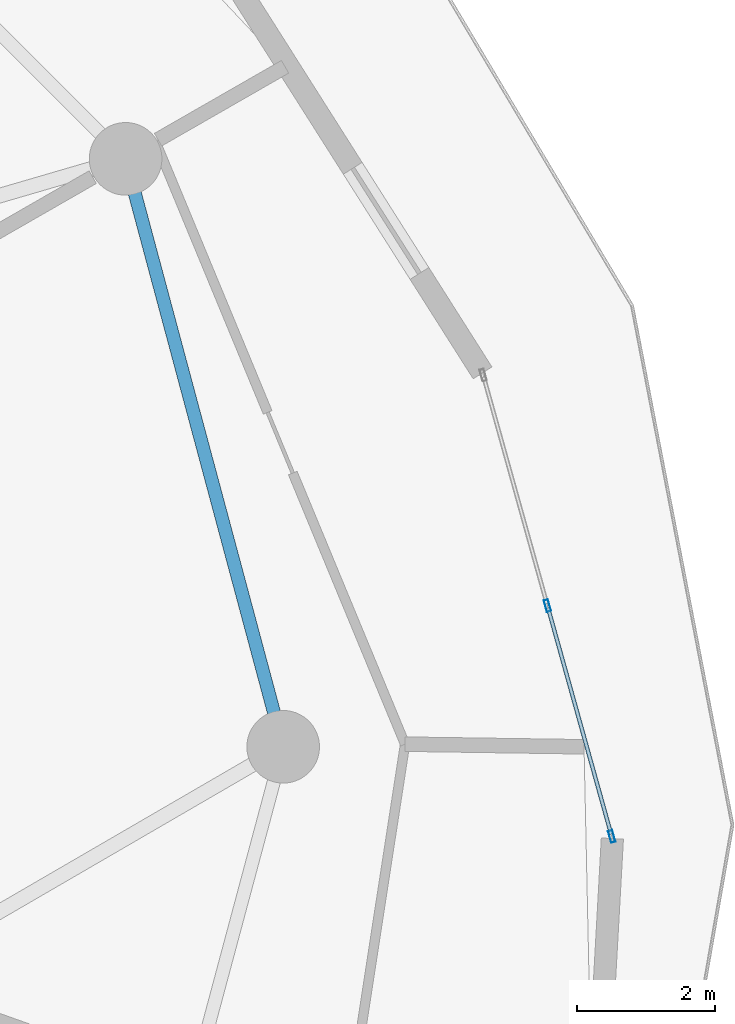
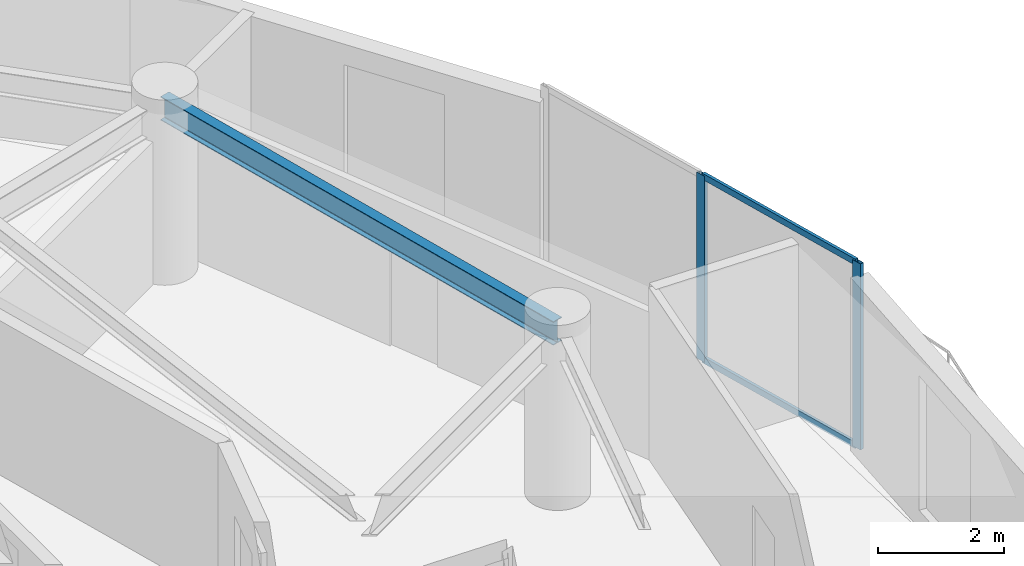
# One storey, part 13 of 25: 4 members, 1 beam, 1 element without a shape of its own.
"""IFC4 building model written with IfcOpenShell, lengths in metres."""

from ifc_helpers import new_model, si_unit, direction, frame, origin, origin_2d, place, context, subcontext, project, spatial, hollow_rectangle, i_section, extrude, source, transform, mapped, material, layer, layer_set, material_profile, profile_set, type_object, element, aggregate, save


model = new_model("IFC4")

# Units and contexts
model_context = context("Model", 3, precision=1e-05, world=origin(), true_north=direction((0.0, 1.0)))
body_context = subcontext(model_context, "Body", "Model", "MODEL_VIEW")
ifc_project = project(units=[si_unit("LENGTHUNIT", "METRE"), si_unit("AREAUNIT", "SQUARE_METRE"), si_unit("VOLUMEUNIT", "CUBIC_METRE"), si_unit("PLANEANGLEUNIT", "RADIAN"), si_unit("MASSUNIT", "GRAM", prefix="KILO")], contexts=[model_context])

# Site, building, storey
site_placement = place(None, origin())
site = spatial("IfcSite", under=ifc_project, at=site_placement, CompositionType="ELEMENT")
building_placement = place(site_placement, origin())
building = spatial("IfcBuilding", under=site, at=building_placement, Name="Solvirekh Grand Hotel", CompositionType="ELEMENT")
storey_placement = place(building_placement, frame((0.0, 0.0, 117.0)))
storey = spatial("IfcBuildingStorey", under=building, at=storey_placement, Name="L29", CompositionType="ELEMENT", Elevation=117.0)

# Beam
ifc_material_1 = material(Name="Steel S355", Category="steel")
ifc_material_profile_1 = material_profile(ifc_material_1, i_section(OverallWidth=0.18994140625, OverallDepth=0.45703125, WebThickness=0.009033203125, FlangeThickness=0.013916015625, FilletRadius=0.012939453125, at=origin_2d()), Name="W460X74")
ifc_profile_set_1 = profile_set([ifc_material_profile_1], Name="Steel S355")
beam_type = type_object("IfcBeamType", Name="Spandrel_Ring_W460", PredefinedType="SPANDREL", material=ifc_profile_set_1)
beam_placement = place(storey_placement, frame((17.0, 0.0, 3.12109375), z_axis=(-0.258872908946, 0.965911391906, 0.0), x_axis=(-0.965911391906, -0.258872908946, 0.0)))
element("IfcBeam", 1, at=beam_placement, inside=storey, type_object=beam_type, Name="L29 perimeter spandrel beam 1", PredefinedType="SPANDREL", context=body_context, shape_type="SweptSolid", body=[
    extrude(i_section(OverallWidth=0.18994140625, OverallDepth=0.45703125, WebThickness=0.009033203125, FlangeThickness=0.013916015625, FilletRadius=0.012939453125, at=origin_2d()), origin(), (0.0, 0.0, 1.0), 8.800048828125),
])

# Curtain wall, members
ifc_material_2 = material(Name="Anodized Bronze Aluminium 6063-T6", Category="aluminium")
ifc_layer = layer(ifc_material_2, 0.175048828125)
ifc_layer_set = layer_set([ifc_layer], Name="Anodized Bronze Aluminium 6063-T6")
curtain_wall_type = type_object("IfcCurtainWallType", Name="CW_Sys3_MidZoneFlushBronzeCW", PredefinedType="NOTDEFINED", material=ifc_layer_set)
curtain_wall_placement = place(storey_placement, origin())
curtain_wall = element("IfcCurtainWall", 2, at=curtain_wall_placement, inside=storey, type_object=curtain_wall_type, Name="L29 unitised bronze-glass curtain wall CW-L29-C03", PredefinedType="NOTDEFINED")
ifc_material_profile_2 = material_profile(ifc_material_2, hollow_rectangle(XDim=0.06494140625, YDim=0.175048828125, WallThickness=0.0048828125, at=origin_2d()), Name="ALU RHS 175X65X5")
ifc_profile_set_2 = profile_set([ifc_material_profile_2], Name="Anodized Bronze Aluminium 6063-T6")
member_type_1 = type_object("IfcMemberType", Name="CWMullion_Sys3", PredefinedType="MULLION", material=ifc_profile_set_2)
shared_shape_1 = source(origin(), body_context, "Body", "SweptSolid", [
    extrude(hollow_rectangle(XDim=0.06494140625, YDim=0.175048828125, WallThickness=0.0048828125, at=origin_2d()), origin(), (0.0, 0.0, 1.0), 3.60009765625),
])
member_1_placement = place(storey_placement, frame((21.750244140625, -1.295654296875, 0.0), z_axis=(0.0, 0.0, 1.0), x_axis=(-0.96326948599, -0.26853658477, 0.0)))
member_1 = element("IfcMember", 3, at=member_1_placement, type_object=member_type_1, Name="U03 mullion 1", PredefinedType="MULLION", context=body_context, shape_type="MappedRepresentation", body=[
    mapped(shared_shape_1, transform((0.0, 0.0, 0.0), x_axis=(1.0, 0.0, 0.0), y_axis=(0.0, 1.0, 0.0), z_axis=(0.0, 0.0, 1.0), scale=1.0)),
])
member_2_placement = place(storey_placement, frame((20.820556640625, 2.03955078125, 0.0), z_axis=(0.0, 0.0, 1.0), x_axis=(-0.96326948599, -0.26853658477, 0.0)))
member_2 = element("IfcMember", 4, at=member_2_placement, type_object=member_type_1, Name="U03 mullion 2", PredefinedType="MULLION", context=body_context, shape_type="MappedRepresentation", body=[
    mapped(shared_shape_1, transform((0.0, 0.0, 0.0), x_axis=(1.0, 0.0, 0.0), y_axis=(0.0, 1.0, 0.0), z_axis=(0.0, 0.0, 1.0), scale=1.0)),
])
ifc_material_profile_3 = material_profile(ifc_material_2, hollow_rectangle(XDim=0.054931640625, YDim=0.1201171875, WallThickness=0.00390625, at=origin_2d()), Name="ALU RHS 120X55X4")
ifc_profile_set_3 = profile_set([ifc_material_profile_3], Name="Anodized Bronze Aluminium 6063-T6")
member_type_2 = type_object("IfcMemberType", Name="CWTransom_Sys3", PredefinedType="USERDEFINED", material=ifc_profile_set_3)
shared_shape_2 = source(origin(), body_context, "Body", "SweptSolid", [
    extrude(hollow_rectangle(XDim=0.054931640625, YDim=0.1201171875, WallThickness=0.00390625, at=origin_2d()), origin(), (0.0, 0.0, 1.0), 3.3974609375),
])
member_3_placement = place(storey_placement, frame((21.741455078125, -1.264404296875, 0.027587890625), z_axis=(-0.26847026228, 0.96328797266, 0.0), x_axis=(-0.96328797266, -0.26847026228, 0.0)))
member_3 = element("IfcMember", 5, at=member_3_placement, type_object=member_type_2, Name="U03 transom 1.1", ObjectType="TRANSOM", PredefinedType="USERDEFINED", context=body_context, shape_type="MappedRepresentation", body=[
    mapped(shared_shape_2, transform((0.0, 0.0, 0.0), x_axis=(1.0, 0.0, 0.0), y_axis=(0.0, 1.0, 0.0), z_axis=(0.0, 0.0, 1.0), scale=1.0)),
])
member_4_placement = place(storey_placement, frame((21.741455078125, -1.264404296875, 3.572509765625), z_axis=(-0.26847026228, 0.96328797266, 0.0), x_axis=(-0.96328797266, -0.26847026228, 0.0)))
member_4 = element("IfcMember", 6, at=member_4_placement, type_object=member_type_2, Name="U03 transom 1.2", ObjectType="TRANSOM", PredefinedType="USERDEFINED", context=body_context, shape_type="MappedRepresentation", body=[
    mapped(shared_shape_2, transform((0.0, 0.0, 0.0), x_axis=(1.0, 0.0, 0.0), y_axis=(0.0, 1.0, 0.0), z_axis=(0.0, 0.0, 1.0), scale=1.0)),
])
aggregate(curtain_wall, [member_1, member_2, member_3, member_4])

save(model, "model.ifc")
